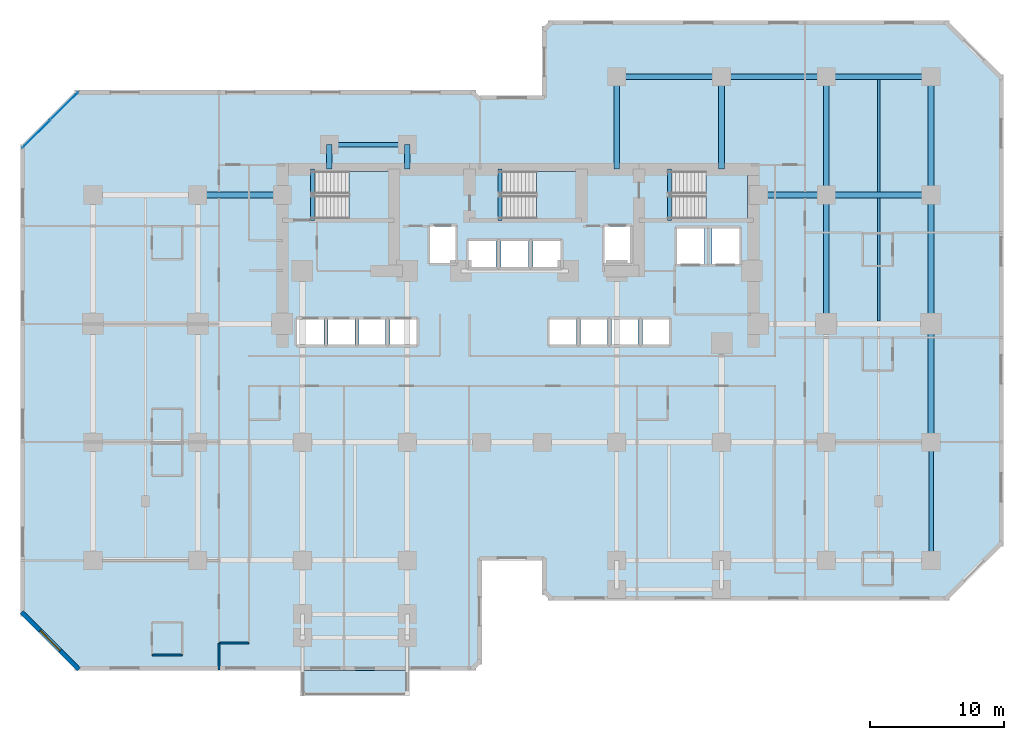
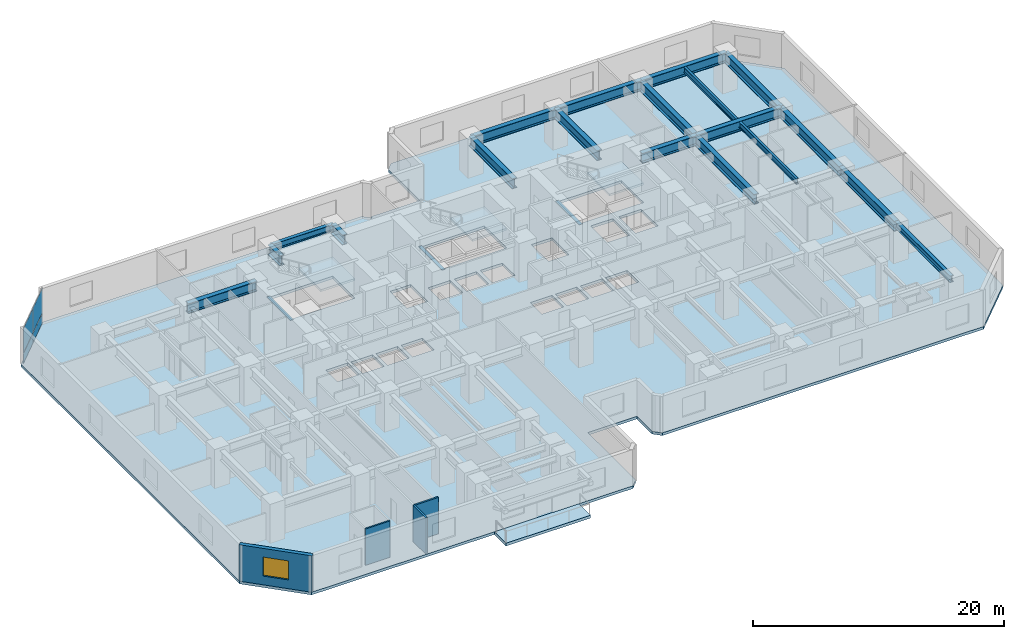
# One storey, part 4 of 11: 22 beams, 5 slabs, 4 plates, 4 walls, 1 window, 1 opening, 4 elements without a shape of their own.
"""IFC4 building model written with IfcOpenShell, lengths in metres."""

from ifc_helpers import new_model, si_unit, direction, frame, frame_2d, origin, origin_2d, place, context, subcontext, project, spatial, polyline, rectangle, i_section, outline, extrude, material, layer, layer_set, material_profile, profile_set, type_object, element, fill, aggregate, save


model = new_model("IFC4")

# Units and contexts
model_context = context("Model", 3, precision=1e-05, world=origin(), true_north=direction((0.0, 1.0)))
body_context = subcontext(model_context, "Body", "Model", "MODEL_VIEW")
ifc_project = project(units=[si_unit("LENGTHUNIT", "METRE"), si_unit("AREAUNIT", "SQUARE_METRE"), si_unit("VOLUMEUNIT", "CUBIC_METRE"), si_unit("PLANEANGLEUNIT", "RADIAN"), si_unit("MASSUNIT", "GRAM", prefix="KILO")], contexts=[model_context])

# Site, building, storey
site_placement = place(None, origin())
site = spatial("IfcSite", under=ifc_project, at=site_placement, CompositionType="ELEMENT")
building_placement = place(site_placement, origin())
building = spatial("IfcBuilding", under=site, at=building_placement, Name="Kestravale Grand Hotel", CompositionType="ELEMENT")
storey_placement = place(building_placement, frame((0.0, 0.0, 29.800048828125)))
storey = spatial("IfcBuildingStorey", under=building, at=storey_placement, Name="L06", CompositionType="ELEMENT", Elevation=29.800048828125)

# Beams
ifc_material_1 = material(Name="Steel ASTM A992 Grade 50", Category="steel")
ifc_material_profile_1 = material_profile(ifc_material_1, i_section(OverallWidth=0.2099609375, OverallDepth=0.535888671875, WebThickness=0.010986328125, FlangeThickness=0.017333984375, FilletRadius=0.017578125, at=origin_2d()))
ifc_profile_set_1 = profile_set([ifc_material_profile_1], Name="Steel ASTM A992 Grade 50")
beam_type_1 = type_object("IfcBeamType", Name="B-FLR-JST21", PredefinedType="JOIST", material=ifc_profile_set_1)
beam_1_placement = place(storey_placement, frame((66.300048828125, 29.011962890625, 3.27197265625), z_axis=(0.0, 1.0, 0.0), x_axis=(-1.0, 0.0, 0.0)))
element("IfcBeam", 1, at=beam_1_placement, inside=storey, type_object=beam_type_1, Name="L06 floor joist 10-11/E-F #1", PredefinedType="JOIST", context=body_context, shape_type="SweptSolid", body=[
    extrude(i_section(OverallWidth=0.2099609375, OverallDepth=0.535888671875, WebThickness=0.010986328125, FlangeThickness=0.017333984375, FilletRadius=0.017578125, at=origin_2d()), origin(), (0.0, 0.0, 1.0), 9.176025390625),
])
beam_2_placement = place(storey_placement, frame((66.300048828125, 38.612060546875, 3.27197265625), z_axis=(0.0, 1.0, 0.0), x_axis=(-1.0, 0.0, 0.0)))
element("IfcBeam", 2, at=beam_2_placement, inside=storey, type_object=beam_type_1, Name="L06 floor joist 10-11/F-G #1", PredefinedType="JOIST", context=body_context, shape_type="SweptSolid", body=[
    extrude(i_section(OverallWidth=0.2099609375, OverallDepth=0.535888671875, WebThickness=0.010986328125, FlangeThickness=0.017333984375, FilletRadius=0.017578125, at=origin_2d()), origin(), (0.0, 0.0, 1.0), 8.3759765625),
])
ifc_material_2 = material(Name="Concrete f'c 45 MPa", Category="concrete")
ifc_material_profile_2 = material_profile(ifc_material_2, rectangle(XDim=0.300048828125, YDim=0.39990234375, at=origin_2d()))
ifc_profile_set_2 = profile_set([ifc_material_profile_2], Name="Concrete f'c 45 MPa")
beam_type_2 = type_object("IfcBeamType", Name="B-FLR-LNT400", PredefinedType="LINTEL", material=ifc_profile_set_2)
for number, where, z_axis, x_axis, name in (
    (3, (24.159912109375, 36.52001953125, -0.199951171875), (0.0, 1.0, 0.0), (-1.0, 0.0, 0.0), "L06 ST1 flight bottom header beam"),
    (4, (38.110107421875, 36.52001953125, -0.199951171875), (0.0, 1.0, 0.0), (-1.0, 0.0, 0.0), "L06 ST2 flight bottom header beam"),
    (5, (50.7099609375, 36.52001953125, -0.199951171875), (0.0, 1.0, 0.0), (-1.0, 0.0, 0.0), "L06 ST3 flight bottom header beam"),
):
    element("IfcBeam", number, at=place(storey_placement, frame(where, z_axis=z_axis, x_axis=x_axis)), inside=storey, type_object=beam_type_2, Name=name, PredefinedType="LINTEL", context=body_context, shape_type="SweptSolid", body=[
        extrude(rectangle(XDim=0.300048828125, YDim=0.39990234375, at=origin_2d()), origin(), (0.0, 0.0, 1.0), 3.800048828125),
    ])
ifc_material_3 = material(Name="Steel ASTM A992 Grade 50", Category="steel")
ifc_material_profile_3 = material_profile(ifc_material_3, i_section(OverallWidth=0.324951171875, OverallDepth=0.612060546875, WebThickness=0.0126953125, FlangeThickness=0.01904296875, FilletRadius=0.018798828125, at=origin_2d()))
ifc_profile_set_3 = profile_set([ifc_material_profile_3], Name="Steel ASTM A992 Grade 50")
beam_type_3 = type_object("IfcBeamType", Name="B-FLR-W24A", PredefinedType="SPANDREL", material=ifc_profile_set_3)
beam_3_placement = place(storey_placement, frame((25.39990234375, 42.14990234375, 3.23388671875), z_axis=(1.0, 0.0, 0.0), x_axis=(0.0, 1.0, 0.0)))
element("IfcBeam", 6, at=beam_3_placement, inside=storey, type_object=beam_type_3, Name="L06 perimeter tie spandrel FN:4-5", PredefinedType="SPANDREL", context=body_context, shape_type="SweptSolid", body=[
    extrude(i_section(OverallWidth=0.324951171875, OverallDepth=0.612060546875, WebThickness=0.0126953125, FlangeThickness=0.01904296875, FilletRadius=0.018798828125, at=origin_2d()), origin(), (0.0, 0.0, 1.0), 5.800048828125),
])
beam_4_placement = place(storey_placement, frame((70.199951171875, 11.199951171875, 3.23388671875), z_axis=(0.0, 1.0, 0.0), x_axis=(-1.0, 0.0, 0.0)))
element("IfcBeam", 7, at=beam_4_placement, inside=storey, type_object=beam_type_3, Name="L06 spandrel 11:C-D", PredefinedType="SPANDREL", context=body_context, shape_type="SweptSolid", body=[
    extrude(i_section(OverallWidth=0.324951171875, OverallDepth=0.612060546875, WebThickness=0.0126953125, FlangeThickness=0.01904296875, FilletRadius=0.018798828125, at=origin_2d()), origin(), (0.0, 0.0, 1.0), 8.800048828125),
])
ifc_material_4 = material(Name="Steel ASTM A992 Grade 50", Category="steel")
ifc_material_profile_4 = material_profile(ifc_material_4, i_section(OverallWidth=0.424072265625, OverallDepth=0.947021484375, WebThickness=0.02392578125, FlangeThickness=0.042724609375, FilletRadius=0.0283203125, at=origin_2d()))
ifc_profile_set_4 = profile_set([ifc_material_profile_4], Name="Steel ASTM A992 Grade 50")
beam_type_4 = type_object("IfcBeamType", Name="B-GRD-W36", PredefinedType="BEAM", material=ifc_profile_set_4)
beam_5_placement = place(storey_placement, frame((15.60009765625, 38.39990234375, 3.06640625), z_axis=(1.0, 0.0, 0.0), x_axis=(0.0, 1.0, 0.0)))
element("IfcBeam", 8, at=beam_5_placement, inside=storey, type_object=beam_type_4, Name="L06 girder F:3-CW", PredefinedType="BEAM", context=body_context, shape_type="SweptSolid", body=[
    extrude(i_section(OverallWidth=0.424072265625, OverallDepth=0.947021484375, WebThickness=0.02392578125, FlangeThickness=0.042724609375, FilletRadius=0.0283203125, at=origin_2d()), origin(), (0.0, 0.0, 1.0), 6.2998046875),
])
beam_6_placement = place(storey_placement, frame((57.35009765625, 38.39990234375, 3.06640625), z_axis=(1.0, 0.0, 0.0), x_axis=(0.0, 1.0, 0.0)))
element("IfcBeam", 9, at=beam_6_placement, inside=storey, type_object=beam_type_4, Name="L06 girder F:CE-10", PredefinedType="BEAM", context=body_context, shape_type="SweptSolid", body=[
    extrude(i_section(OverallWidth=0.424072265625, OverallDepth=0.947021484375, WebThickness=0.02392578125, FlangeThickness=0.042724609375, FilletRadius=0.0283203125, at=origin_2d()), origin(), (0.0, 0.0, 1.0), 5.0498046875),
])
for number, where, z_axis, x_axis, name in (
    (10, (62.39990234375, 38.39990234375, 3.06640625), (1.0, 0.0, 0.0), (0.0, 1.0, 0.0), "L06 girder F:10-11"),
    (11, (46.800048828125, 47.199951171875, 3.06640625), (1.0, 0.0, 0.0), (0.0, 1.0, 0.0), "L06 girder G:8-9"),
):
    element("IfcBeam", number, at=place(storey_placement, frame(where, z_axis=z_axis, x_axis=x_axis)), inside=storey, type_object=beam_type_4, Name=name, PredefinedType="BEAM", context=body_context, shape_type="SweptSolid", body=[
        extrude(i_section(OverallWidth=0.424072265625, OverallDepth=0.947021484375, WebThickness=0.02392578125, FlangeThickness=0.042724609375, FilletRadius=0.0283203125, at=origin_2d()), origin(), (0.0, 0.0, 1.0), 7.800048828125),
    ])
beam_7_placement = place(storey_placement, frame((54.60009765625, 47.199951171875, 3.06640625), z_axis=(1.0, 0.0, 0.0), x_axis=(0.0, 1.0, 0.0)))
element("IfcBeam", 12, at=beam_7_placement, inside=storey, type_object=beam_type_4, Name="L06 girder G:9-10", PredefinedType="BEAM", context=body_context, shape_type="SweptSolid", body=[
    extrude(i_section(OverallWidth=0.424072265625, OverallDepth=0.947021484375, WebThickness=0.02392578125, FlangeThickness=0.042724609375, FilletRadius=0.0283203125, at=origin_2d()), origin(), (0.0, 0.0, 1.0), 7.7998046875),
])
beam_8_placement = place(storey_placement, frame((62.39990234375, 47.199951171875, 3.06640625), z_axis=(1.0, 0.0, 0.0), x_axis=(0.0, 1.0, 0.0)))
element("IfcBeam", 13, at=beam_8_placement, inside=storey, type_object=beam_type_4, Name="L06 girder G:10-11", PredefinedType="BEAM", context=body_context, shape_type="SweptSolid", body=[
    extrude(i_section(OverallWidth=0.424072265625, OverallDepth=0.947021484375, WebThickness=0.02392578125, FlangeThickness=0.042724609375, FilletRadius=0.0283203125, at=origin_2d()), origin(), (0.0, 0.0, 1.0), 7.800048828125),
])
beam_9_placement = place(storey_placement, frame((62.39990234375, 28.800048828125, 3.06640625), z_axis=(0.0, 1.0, 0.0), x_axis=(-1.0, 0.0, 0.0)))
element("IfcBeam", 14, at=beam_9_placement, inside=storey, type_object=beam_type_4, Name="L06 girder 10:E-F", PredefinedType="BEAM", context=body_context, shape_type="SweptSolid", body=[
    extrude(i_section(OverallWidth=0.424072265625, OverallDepth=0.947021484375, WebThickness=0.02392578125, FlangeThickness=0.042724609375, FilletRadius=0.0283203125, at=origin_2d()), origin(), (0.0, 0.0, 1.0), 9.599853515625),
])
for number, where, z_axis, x_axis, name in (
    (15, (62.39990234375, 38.39990234375, 3.06640625), (0.0, 1.0, 0.0), (-1.0, 0.0, 0.0), "L06 girder 10:F-G"),
    (16, (70.199951171875, 20.0, 3.06640625), (0.0, 1.0, 0.0), (-1.0, 0.0, 0.0), "L06 girder 11:D-E"),
):
    element("IfcBeam", number, at=place(storey_placement, frame(where, z_axis=z_axis, x_axis=x_axis)), inside=storey, type_object=beam_type_4, Name=name, PredefinedType="BEAM", context=body_context, shape_type="SweptSolid", body=[
        extrude(i_section(OverallWidth=0.424072265625, OverallDepth=0.947021484375, WebThickness=0.02392578125, FlangeThickness=0.042724609375, FilletRadius=0.0283203125, at=origin_2d()), origin(), (0.0, 0.0, 1.0), 8.800048828125),
    ])
beam_10_placement = place(storey_placement, frame((70.199951171875, 28.800048828125, 3.06640625), z_axis=(0.0, 1.0, 0.0), x_axis=(-1.0, 0.0, 0.0)))
element("IfcBeam", 17, at=beam_10_placement, inside=storey, type_object=beam_type_4, Name="L06 girder 11:E-F", PredefinedType="BEAM", context=body_context, shape_type="SweptSolid", body=[
    extrude(i_section(OverallWidth=0.424072265625, OverallDepth=0.947021484375, WebThickness=0.02392578125, FlangeThickness=0.042724609375, FilletRadius=0.0283203125, at=origin_2d()), origin(), (0.0, 0.0, 1.0), 9.599853515625),
])
beam_11_placement = place(storey_placement, frame((70.199951171875, 38.39990234375, 3.06640625), z_axis=(0.0, 1.0, 0.0), x_axis=(-1.0, 0.0, 0.0)))
element("IfcBeam", 18, at=beam_11_placement, inside=storey, type_object=beam_type_4, Name="L06 girder 11:F-G", PredefinedType="BEAM", context=body_context, shape_type="SweptSolid", body=[
    extrude(i_section(OverallWidth=0.424072265625, OverallDepth=0.947021484375, WebThickness=0.02392578125, FlangeThickness=0.042724609375, FilletRadius=0.0283203125, at=origin_2d()), origin(), (0.0, 0.0, 1.0), 8.800048828125),
])
for number, where, z_axis, x_axis, name in (
    (19, (25.39990234375, 40.320068359375, 3.06640625), (0.0, 1.0, 0.0), (-1.0, 0.0, 0.0), "L06 north wing tie girder 4:CN-FN"),
    (20, (31.199951171875, 40.320068359375, 3.06640625), (0.0, 1.0, 0.0), (-1.0, 0.0, 0.0), "L06 north wing tie girder 5:CN-FN"),
):
    element("IfcBeam", number, at=place(storey_placement, frame(where, z_axis=z_axis, x_axis=x_axis)), inside=storey, type_object=beam_type_4, Name=name, PredefinedType="BEAM", context=body_context, shape_type="SweptSolid", body=[
        extrude(i_section(OverallWidth=0.424072265625, OverallDepth=0.947021484375, WebThickness=0.02392578125, FlangeThickness=0.042724609375, FilletRadius=0.0283203125, at=origin_2d()), origin(), (0.0, 0.0, 1.0), 1.829833984375),
    ])
for number, where, z_axis, x_axis, name in (
    (21, (46.800048828125, 40.320068359375, 3.06640625), (0.0, 1.0, 0.0), (-1.0, 0.0, 0.0), "L06 north wing tie girder 8:CN-G"),
    (22, (54.60009765625, 40.320068359375, 3.06640625), (0.0, 1.0, 0.0), (-1.0, 0.0, 0.0), "L06 north wing tie girder 9:CN-G"),
):
    element("IfcBeam", number, at=place(storey_placement, frame(where, z_axis=z_axis, x_axis=x_axis)), inside=storey, type_object=beam_type_4, Name=name, PredefinedType="BEAM", context=body_context, shape_type="SweptSolid", body=[
        extrude(i_section(OverallWidth=0.424072265625, OverallDepth=0.947021484375, WebThickness=0.02392578125, FlangeThickness=0.042724609375, FilletRadius=0.0283203125, at=origin_2d()), origin(), (0.0, 0.0, 1.0), 6.8798828125),
    ])

# Curtain wall, plates
ifc_material_5 = material(Name="Thermally broken champagne-bronze aluminium and low-E glazing", Category="aluminium")
ifc_layer_1 = layer(ifc_material_5, 0.199951171875)
ifc_layer_set_1 = layer_set([ifc_layer_1], Name="CW-Z1")
curtain_wall_type = type_object("IfcCurtainWallType", Name="CW-Z1", PredefinedType="NOTDEFINED", material=ifc_layer_set_1)
curtain_wall_placement = place(storey_placement, origin())
curtain_wall = element("IfcCurtainWall", 23, at=curtain_wall_placement, inside=storey, type_object=curtain_wall_type, Name="L06 unitised curtain wall 18", PredefinedType="NOTDEFINED")
ifc_material_6 = material(Name="Insulated clear low-E double glazing IGU", Category="glass")
ifc_layer_2 = layer(ifc_material_6, 0.035888671875)
ifc_layer_set_2 = layer_set([ifc_layer_2], Name="CW-PNL-36")
plate_type = type_object("IfcPlateType", Name="CW-PNL-36", PredefinedType="CURTAIN_PANEL", material=ifc_layer_set_2)
plate_1_placement = place(storey_placement, frame((5.6640625, 45.023681640625, 0.074951171875), z_axis=(0.0, 0.0, 1.0), x_axis=(-0.707106781187, -0.707106781187, 0.0)))
plate_1 = element("IfcPlate", 24, at=plate_1_placement, type_object=plate_type, Name="CW-Z1 panel 1.1", PredefinedType="CURTAIN_PANEL", context=body_context, shape_type="SweptSolid", body=[
    extrude(rectangle(XDim=2.87744140625, YDim=0.035888671875, at=origin_2d()), origin(), (0.0, 0.0, 1.0), 0.9375),
])
plate_2_placement = place(storey_placement, frame((5.6640625, 45.023681640625, 1.08740234375), z_axis=(0.0, 0.0, 1.0), x_axis=(-0.707106781187, -0.707106781187, 0.0)))
plate_2 = element("IfcPlate", 25, at=plate_2_placement, type_object=plate_type, Name="CW-Z1 panel 1.2", PredefinedType="CURTAIN_PANEL", context=body_context, shape_type="SweptSolid", body=[
    extrude(rectangle(XDim=2.87744140625, YDim=0.035888671875, at=origin_2d()), origin(), (0.0, 0.0, 1.0), 2.37744140625),
])
plate_3_placement = place(storey_placement, frame((3.576416015625, 42.93603515625, 0.074951171875), z_axis=(0.0, 0.0, 1.0), x_axis=(-0.707106781187, -0.707106781187, 0.0)))
plate_3 = element("IfcPlate", 26, at=plate_3_placement, type_object=plate_type, Name="CW-Z1 panel 2.1", PredefinedType="CURTAIN_PANEL", context=body_context, shape_type="SweptSolid", body=[
    extrude(rectangle(XDim=2.87744140625, YDim=0.035888671875, at=origin_2d()), origin(), (0.0, 0.0, 1.0), 0.9375),
])
plate_4_placement = place(storey_placement, frame((3.576416015625, 42.93603515625, 1.08740234375), z_axis=(0.0, 0.0, 1.0), x_axis=(-0.707106781187, -0.707106781187, 0.0)))
plate_4 = element("IfcPlate", 27, at=plate_4_placement, type_object=plate_type, Name="CW-Z1 panel 2.2", PredefinedType="CURTAIN_PANEL", context=body_context, shape_type="SweptSolid", body=[
    extrude(rectangle(XDim=2.87744140625, YDim=0.035888671875, at=origin_2d()), origin(), (0.0, 0.0, 1.0), 2.37744140625),
])
aggregate(curtain_wall, [plate_1, plate_2, plate_3, plate_4])

# Slab
ifc_material_7 = material(Name="Concrete f'c 45 MPa", Category="concrete")
ifc_layer_3 = layer(ifc_material_7, 0.27001953125)
ifc_layer_set_3 = layer_set([ifc_layer_3], Name="ES-TERR-270")
slab_type_1 = type_object("IfcSlabType", Name="ES-TERR-270", PredefinedType="FLOOR", material=ifc_layer_set_3)
slab_1_placement = place(storey_placement, frame((0.0, 0.0, -0.27001953125)))
element("IfcSlab", 28, at=slab_1_placement, inside=storey, type_object=slab_type_1, Name="L06 spiralling planted garden terrace", PredefinedType="FLOOR", context=body_context, shape_type="SweptSolid", body=[
    extrude(outline(polyline([(23.39990234375, 1.14990234375), (31.199951171875, 1.14990234375), (31.199951171875, 3.0), (23.39990234375, 3.0), (23.39990234375, 1.14990234375)])), origin(), (0.0, 0.0, 1.0), 0.27001953125),
])

# Stair, slab
ifc_material_8 = material(Name="Concrete f'c 45 MPa", Category="concrete")
stair_type = type_object("IfcStairType", Name="ST-CORE-380", PredefinedType="HALF_TURN_STAIR", material=ifc_material_8)
stair_1_placement = place(storey_placement, origin())
stair_1 = element("IfcStair", 29, at=stair_1_placement, inside=storey, type_object=stair_type, Name="L06 ST-1", PredefinedType="HALF_TURN_STAIR")
ifc_material_9 = material(Name="Concrete f'c 45 MPa", Category="concrete")
ifc_layer_4 = layer(ifc_material_9, 0.199951171875)
ifc_layer_set_4 = layer_set([ifc_layer_4], Name="SLB-ST-LND200")
slab_type_2 = type_object("IfcSlabType", Name="SLB-ST-LND200", PredefinedType="LANDING", material=ifc_layer_set_4)
slab_2_placement = place(storey_placement, frame((0.0, 0.0, 1.699951171875)))
slab_2 = element("IfcSlab", 30, at=slab_2_placement, type_object=slab_type_2, Name="ST-1 landing 1", PredefinedType="LANDING", context=body_context, shape_type="SweptSolid", body=[
    extrude(outline(polyline([(26.8798828125, 36.64990234375), (30.0, 36.64990234375), (30.0, 40.159912109375), (26.8798828125, 40.159912109375), (26.8798828125, 36.64990234375)])), origin(), (0.0, 0.0, 1.0), 0.199951171875),
])
aggregate(stair_1, [slab_2])

stair_2_placement = place(storey_placement, origin())
stair_2 = element("IfcStair", 31, at=stair_2_placement, inside=storey, type_object=stair_type, Name="L06 ST-2", PredefinedType="HALF_TURN_STAIR")
slab_3_placement = place(storey_placement, frame((0.0, 0.0, 1.699951171875)))
slab_3 = element("IfcSlab", 32, at=slab_3_placement, type_object=slab_type_2, Name="ST-2 landing 1", PredefinedType="LANDING", context=body_context, shape_type="SweptSolid", body=[
    extrude(outline(polyline([(40.830078125, 36.64990234375), (43.949951171875, 36.64990234375), (43.949951171875, 40.159912109375), (40.830078125, 40.159912109375), (40.830078125, 36.64990234375)])), origin(), (0.0, 0.0, 1.0), 0.199951171875),
])
aggregate(stair_2, [slab_3])

stair_3_placement = place(storey_placement, origin())
stair_3 = element("IfcStair", 33, at=stair_3_placement, inside=storey, type_object=stair_type, Name="L06 ST-3", PredefinedType="HALF_TURN_STAIR")
slab_4_placement = place(storey_placement, frame((0.0, 0.0, 1.699951171875)))
slab_4 = element("IfcSlab", 34, at=slab_4_placement, type_object=slab_type_2, Name="ST-3 landing 1", PredefinedType="LANDING", context=body_context, shape_type="SweptSolid", body=[
    extrude(outline(polyline([(53.429931640625, 36.64990234375), (56.550048828125, 36.64990234375), (56.550048828125, 40.159912109375), (53.429931640625, 40.159912109375), (53.429931640625, 36.64990234375)])), origin(), (0.0, 0.0, 1.0), 0.199951171875),
])
aggregate(stair_3, [slab_4])

# Slab
ifc_material_10 = material(Name="Concrete f'c 45 MPa", Category="concrete")
ifc_layer_5 = layer(ifc_material_10, 0.260009765625)
ifc_layer_set_5 = layer_set([ifc_layer_5], Name="SS-FLR-260")
slab_type_3 = type_object("IfcSlabType", Name="SS-FLR-260", PredefinedType="FLOOR", material=ifc_layer_set_5)
slab_5_placement = place(storey_placement, frame((0.0, 0.0, -0.260009765625)))
element("IfcSlab", 35, at=slab_5_placement, inside=storey, type_object=slab_type_3, Name="L06 structural floor slab", PredefinedType="FLOOR", context=body_context, shape_type="SweptSolid", body=[
    extrude(outline(polyline([(6.60009765625, 3.0), (36.14990234375, 3.0), (36.75, 3.60009765625), (36.75, 11.199951171875), (41.25, 11.199951171875), (41.25, 8.800048828125), (41.85009765625, 8.199951171875), (71.39990234375, 8.199951171875), (75.60009765625, 12.39990234375), (75.60009765625, 47.199951171875), (71.39990234375, 51.39990234375), (41.85009765625, 51.39990234375), (41.25, 50.800048828125), (41.25, 45.800048828125), (36.75, 45.800048828125), (36.75, 45.60009765625), (36.14990234375, 46.199951171875), (6.60009765625, 46.199951171875), (2.39990234375, 42.0), (2.39990234375, 7.199951171875), (6.60009765625, 3.0)]), holes=[polyline([(24.080078125, 36.64990234375), (30.0, 36.64990234375), (30.0, 40.159912109375), (24.080078125, 40.159912109375), (24.080078125, 36.64990234375)]), polyline([(38.030029296875, 36.64990234375), (43.949951171875, 36.64990234375), (43.949951171875, 40.159912109375), (38.030029296875, 40.159912109375), (38.030029296875, 36.64990234375)]), polyline([(50.6298828125, 36.64990234375), (56.550048828125, 36.64990234375), (56.550048828125, 40.159912109375), (50.6298828125, 40.159912109375), (50.6298828125, 36.64990234375)]), polyline([(23.0048828125, 27.280029296875), (24.9951171875, 27.280029296875), (24.9951171875, 29.1201171875), (23.0048828125, 29.1201171875), (23.0048828125, 27.280029296875)]), polyline([(25.304931640625, 27.280029296875), (27.294921875, 27.280029296875), (27.294921875, 29.1201171875), (25.304931640625, 29.1201171875), (25.304931640625, 27.280029296875)]), polyline([(27.60498046875, 27.280029296875), (29.594970703125, 27.280029296875), (29.594970703125, 29.1201171875), (27.60498046875, 29.1201171875), (27.60498046875, 27.280029296875)]), polyline([(29.905029296875, 27.280029296875), (31.89501953125, 27.280029296875), (31.89501953125, 29.1201171875), (29.905029296875, 29.1201171875), (29.905029296875, 27.280029296875)]), polyline([(41.804931640625, 27.280029296875), (43.794921875, 27.280029296875), (43.794921875, 29.1201171875), (41.804931640625, 29.1201171875), (41.804931640625, 27.280029296875)]), polyline([(44.10498046875, 27.280029296875), (46.094970703125, 27.280029296875), (46.094970703125, 29.1201171875), (44.10498046875, 29.1201171875), (44.10498046875, 27.280029296875)]), polyline([(46.405029296875, 27.280029296875), (48.39501953125, 27.280029296875), (48.39501953125, 29.1201171875), (46.405029296875, 29.1201171875), (46.405029296875, 27.280029296875)]), polyline([(48.705078125, 27.280029296875), (50.695068359375, 27.280029296875), (50.695068359375, 29.1201171875), (48.705078125, 29.1201171875), (48.705078125, 27.280029296875)]), polyline([(35.780029296875, 33.030029296875), (37.820068359375, 33.030029296875), (37.820068359375, 34.969970703125), (35.780029296875, 34.969970703125), (35.780029296875, 33.030029296875)]), polyline([(38.179931640625, 33.030029296875), (40.219970703125, 33.030029296875), (40.219970703125, 34.969970703125), (38.179931640625, 34.969970703125), (38.179931640625, 33.030029296875)]), polyline([(40.580078125, 33.030029296875), (42.6201171875, 33.030029296875), (42.6201171875, 34.969970703125), (40.580078125, 34.969970703125), (40.580078125, 33.030029296875)]), polyline([(32.905029296875, 33.35498046875), (34.794921875, 33.35498046875), (34.794921875, 36.044921875), (32.905029296875, 36.044921875), (32.905029296875, 33.35498046875)]), polyline([(45.905029296875, 33.35498046875), (47.794921875, 33.35498046875), (47.794921875, 36.044921875), (45.905029296875, 36.044921875), (45.905029296875, 33.35498046875)]), polyline([(51.280029296875, 33.280029296875), (53.320068359375, 33.280029296875), (53.320068359375, 35.919921875), (51.280029296875, 35.919921875), (51.280029296875, 33.280029296875)]), polyline([(53.8798828125, 33.280029296875), (55.919921875, 33.280029296875), (55.919921875, 35.919921875), (53.8798828125, 35.919921875), (53.8798828125, 33.280029296875)])]), origin(), (0.0, 0.0, 1.0), 0.260009765625),
])

# Wall, opening, window
ifc_material_11 = material(Name="Precast concrete f'c 45 MPa", Category="concrete")
ifc_layer_6 = layer(ifc_material_11, 0.340087890625)
ifc_layer_set_6 = layer_set([ifc_layer_6], Name="EW-PREC-340")
wall_type_1 = type_object("IfcWallType", Name="EW-PREC-340", PredefinedType="SOLIDWALL", material=ifc_layer_set_6)
wall_1_placement = place(storey_placement, frame((2.491943359375, 7.348388671875, 0.0), z_axis=(0.0, 0.0, 1.0), x_axis=(0.707106781187, -0.707106781187, 0.0)))
wall_1 = element("IfcWall", 36, at=wall_1_placement, inside=storey, type_object=wall_type_1, Name="L06 fluted precast facade wall 20", PredefinedType="SOLIDWALL", context=body_context, shape_type="SweptSolid", body=[
    extrude(rectangle(XDim=6.019775390625, YDim=0.340087890625, at=frame_2d((3.009765625, 0.0))), origin(), (0.0, 0.0, 1.0), 3.5400390625),
])
opening_placement = place(wall_1_placement, frame((1.9599609375, 0.0, 0.85009765625)))
opening = element("IfcOpeningElement", 37, at=opening_placement, cuts=wall_1, Name="Opening W-GUEST-2100", PredefinedType="OPENING", context=body_context, shape_type="SweptSolid", body=[
    extrude(rectangle(XDim=2.10009765625, YDim=1.85009765625, at=frame_2d((1.050048828125, 0.925048828125))), frame((0.0, 0.179931640625, 0.0), z_axis=(0.0, -1.0, 0.0), x_axis=(1.0, 0.0, 0.0)), (0.0, 0.0, 1.0), 0.360107421875),
])
ifc_material_12 = material(Name="Insulated low-E double glazing in aluminium frame", Category="aluminium")
window_type = type_object("IfcWindowType", Name="W-GUEST-2100", PartitioningType="DOUBLE_PANEL_VERTICAL", PredefinedType="WINDOW", material=ifc_material_12)
window_placement = place(opening_placement, origin())
window = element("IfcWindow", 38, at=window_placement, inside=storey, type_object=window_type, Name="L06 exterior window 20.1", OverallHeight=1.85009765625, OverallWidth=2.10009765625, PartitioningType="SINGLE_PANEL", PredefinedType="WINDOW", context=body_context, shape_type="SweptSolid", body=[
    extrude(rectangle(XDim=2.10009765625, YDim=1.85009765625, at=frame_2d((1.050048828125, 0.925048828125))), frame((0.0, 0.030029296875, 0.0), z_axis=(0.0, -1.0, 0.0), x_axis=(1.0, 0.0, 0.0)), (0.0, 0.0, 1.0), 0.06005859375),
])
fill(opening, window)

# Walls
ifc_material_13 = material(Name="Moisture-resistant tile-backer plumbing chase wall", Category="other")
ifc_layer_7 = layer(ifc_material_13, 0.139892578125)
ifc_layer_set_7 = layer_set([ifc_layer_7], Name="IW-PLB-140")
wall_type_2 = type_object("IfcWallType", Name="IW-PLB-140", PredefinedType="PLUMBINGWALL", material=ifc_layer_set_7)
wall_2_placement = place(storey_placement, frame((12.199951171875, 4.14990234375, 0.0), z_axis=(0.0, 0.0, 1.0), x_axis=(1.0, 0.0, 0.0)))
element("IfcWall", 39, at=wall_2_placement, inside=storey, type_object=wall_type_2, Name="W-L06-U03-BS", PredefinedType="PLUMBINGWALL", context=body_context, shape_type="SweptSolid", body=[
    extrude(rectangle(XDim=2.25, YDim=0.139892578125, at=frame_2d((1.125, 0.0))), origin(), (0.0, 0.0, 1.0), 3.5400390625),
])
ifc_material_14 = material(Name="Double-stud STC 52 acoustic demising partition", Category="other")
ifc_layer_8 = layer(ifc_material_14, 0.14990234375)
ifc_layer_set_8 = layer_set([ifc_layer_8], Name="IW-UNIT-150")
wall_type_3 = type_object("IfcWallType", Name="IW-UNIT-150", PredefinedType="PARTITIONING", material=ifc_layer_set_8)
wall_3_placement = place(storey_placement, frame((17.18994140625, 5.050048828125, 0.0), z_axis=(0.0, 0.0, 1.0), x_axis=(1.0, 0.0, 0.0)))
element("IfcWall", 40, at=wall_3_placement, inside=storey, type_object=wall_type_3, Name="W-L06-SW-S", PredefinedType="PARTITIONING", context=body_context, shape_type="SweptSolid", body=[
    extrude(rectangle(XDim=2.219970703125, YDim=0.14990234375, at=frame_2d((1.10986328125, 0.0))), origin(), (0.0, 0.0, 1.0), 3.5400390625),
])
wall_4_placement = place(storey_placement, frame((17.18994140625, 3.02001953125, 0.0), z_axis=(0.0, 0.0, 1.0), x_axis=(0.0, 1.0, 0.0)))
element("IfcWall", 41, at=wall_4_placement, inside=storey, type_object=wall_type_3, Name="W-L06-SW-EXT", PredefinedType="PARTITIONING", context=body_context, shape_type="SweptSolid", body=[
    extrude(rectangle(XDim=2.030029296875, YDim=0.14990234375, at=frame_2d((1.01513671875, 0.0))), origin(), (0.0, 0.0, 1.0), 3.5400390625),
])

save(model, "model.ifc")
